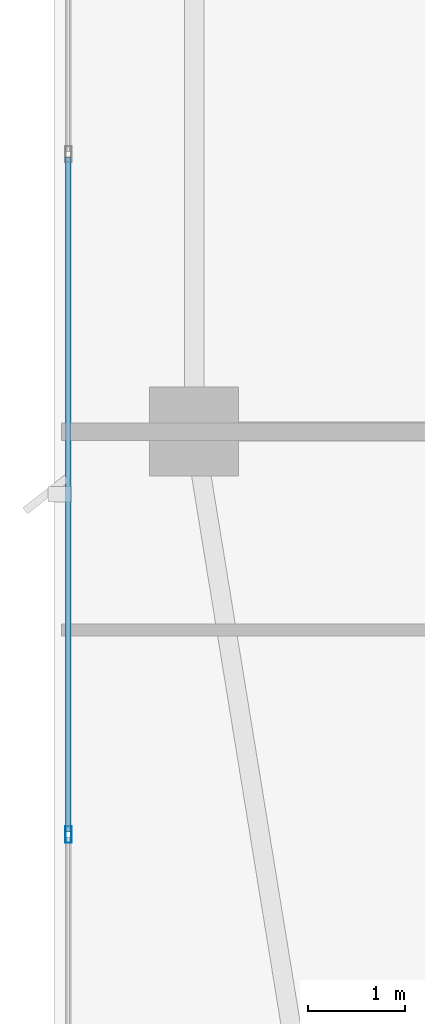
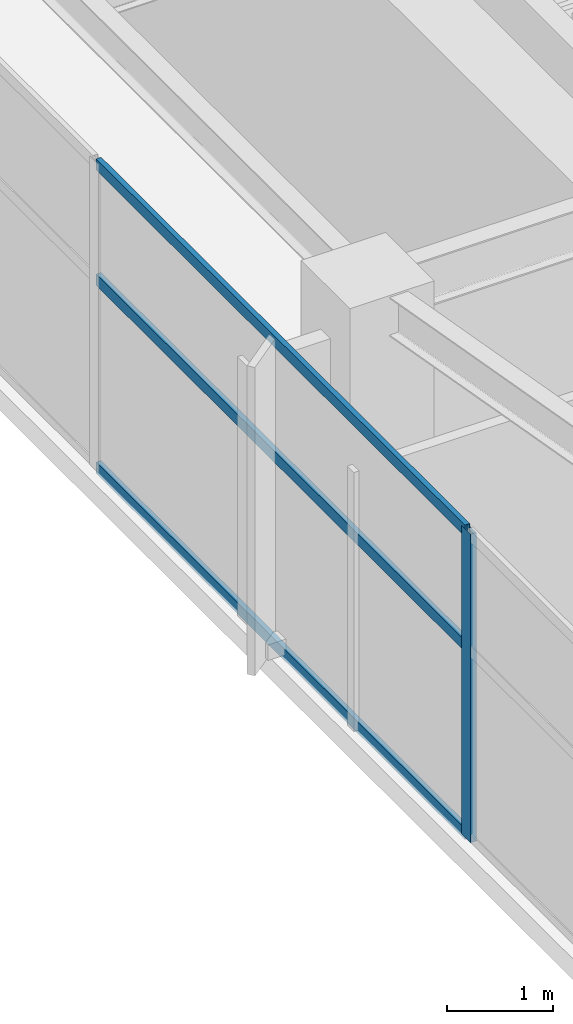
# One storey, part 5 of 29: 4 members, 1 element without a shape of its own.
"""IFC4 building model written with IfcOpenShell, lengths in metres."""

from ifc_helpers import new_model, si_unit, direction, frame, origin, origin_2d, place, context, subcontext, project, spatial, hollow_rectangle, extrude, material, layer, layer_set, material_profile, profile_set, type_object, element, aggregate, save


model = new_model("IFC4")

# Units and contexts
model_context = context("Model", 3, precision=1e-05, world=origin(), true_north=direction((0.0, 1.0)))
body_context = subcontext(model_context, "Body", "Model", "MODEL_VIEW")
ifc_project = project(units=[si_unit("LENGTHUNIT", "METRE"), si_unit("AREAUNIT", "SQUARE_METRE"), si_unit("VOLUMEUNIT", "CUBIC_METRE"), si_unit("PLANEANGLEUNIT", "RADIAN"), si_unit("MASSUNIT", "GRAM", prefix="KILO")], contexts=[model_context])

# Site, building, storey
site_placement = place(None, origin())
site = spatial("IfcSite", under=ifc_project, at=site_placement, CompositionType="ELEMENT")
building_placement = place(site_placement, origin())
building = spatial("IfcBuilding", under=site, at=building_placement, Name="Calvorn Quay Hotel", CompositionType="ELEMENT")
storey_placement = place(building_placement, frame((0.0, 0.0, 247.60009765625)))
storey = spatial("IfcBuildingStorey", under=building, at=storey_placement, Name="L61", CompositionType="ELEMENT", Elevation=247.60009765625)

# Curtain wall, members
ifc_material_1 = material(Name="Champagne Bronze Anodised Aluminium and Low-E Glass", Category="aluminium")
ifc_layer = layer(ifc_material_1, 0.219970703125)
ifc_layer_set = layer_set([ifc_layer], Name="CW-SYS-Z4")
curtain_wall_type = type_object("IfcCurtainWallType", Name="CW-SYS-Z4", PredefinedType="NOTDEFINED", material=ifc_layer_set)
curtain_wall_placement = place(storey_placement, origin())
curtain_wall = element("IfcCurtainWall", 1, at=curtain_wall_placement, inside=storey, type_object=curtain_wall_type, Name="Tower West Curtain Wall (L61)", PredefinedType="NOTDEFINED")
ifc_material_2 = material(Name="Champagne Bronze Anodised Aluminium 6063-T6", Category="aluminium")
ifc_material_profile_1 = material_profile(ifc_material_2, hollow_rectangle(XDim=0.06494140625, YDim=0.169921875, WallThickness=0.00341796875, at=origin_2d()), Name="ALU-M170x65x3.5")
ifc_profile_set_1 = profile_set([ifc_material_profile_1], Name="Champagne Bronze Anodised Aluminium 6063-T6")
member_type_1 = type_object("IfcMemberType", Name="CW-SYS-Z4-MUL", PredefinedType="MULLION", material=ifc_profile_set_1)
member_1_placement = place(storey_placement, frame((0.14990234375, 12.63330078125, 0.0), z_axis=(0.0, 0.0, 1.0), x_axis=(-1.0, 0.0, 0.0)))
member_1 = element("IfcMember", 2, at=member_1_placement, type_object=member_type_1, Name="CW-L61-W mullion 2", PredefinedType="MULLION", context=body_context, shape_type="SweptSolid", body=[
    extrude(hollow_rectangle(XDim=0.06494140625, YDim=0.169921875, WallThickness=0.00341796875, at=origin_2d()), origin(), (0.0, 0.0, 1.0), 3.559814453125),
])
ifc_material_3 = material(Name="Champagne Bronze Anodised Aluminium 6063-T6", Category="aluminium")
ifc_material_profile_2 = material_profile(ifc_material_3, hollow_rectangle(XDim=0.054931640625, YDim=0.1298828125, WallThickness=0.003173828125, at=origin_2d()), Name="ALU-T130x55x3.2")
ifc_profile_set_2 = profile_set([ifc_material_profile_2], Name="Champagne Bronze Anodised Aluminium 6063-T6")
member_type_2 = type_object("IfcMemberType", Name="CW-SYS-Z4-TRN", PredefinedType="USERDEFINED", material=ifc_profile_set_2)
member_2_placement = place(storey_placement, frame((0.14990234375, 12.663330078125, 0.02978515625), z_axis=(0.0, 1.0, 0.0), x_axis=(-1.0, 0.0, 0.0)))
member_2 = element("IfcMember", 3, at=member_2_placement, type_object=member_type_2, Name="CW-L61-W transom 2.1", ObjectType="TRANSOM", PredefinedType="USERDEFINED", context=body_context, shape_type="SweptSolid", body=[
    extrude(hollow_rectangle(XDim=0.054931640625, YDim=0.1298828125, WallThickness=0.003173828125, at=origin_2d()), origin(), (0.0, 0.0, 1.0), 6.973388671875),
])
member_3_placement = place(storey_placement, frame((0.14990234375, 12.663330078125, 2.199951171875), z_axis=(0.0, 1.0, 0.0), x_axis=(-1.0, 0.0, 0.0)))
member_3 = element("IfcMember", 4, at=member_3_placement, type_object=member_type_2, Name="CW-L61-W transom 2.2", ObjectType="TRANSOM", PredefinedType="USERDEFINED", context=body_context, shape_type="SweptSolid", body=[
    extrude(hollow_rectangle(XDim=0.054931640625, YDim=0.1298828125, WallThickness=0.003173828125, at=origin_2d()), origin(), (0.0, 0.0, 1.0), 6.973388671875),
])
member_4_placement = place(storey_placement, frame((0.14990234375, 12.663330078125, 3.52978515625), z_axis=(0.0, 1.0, 0.0), x_axis=(-1.0, 0.0, 0.0)))
member_4 = element("IfcMember", 5, at=member_4_placement, type_object=member_type_2, Name="CW-L61-W transom 2.3", ObjectType="TRANSOM", PredefinedType="USERDEFINED", context=body_context, shape_type="SweptSolid", body=[
    extrude(hollow_rectangle(XDim=0.054931640625, YDim=0.1298828125, WallThickness=0.003173828125, at=origin_2d()), origin(), (0.0, 0.0, 1.0), 6.973388671875),
])
aggregate(curtain_wall, [member_1, member_2, member_3, member_4])

save(model, "model.ifc")
